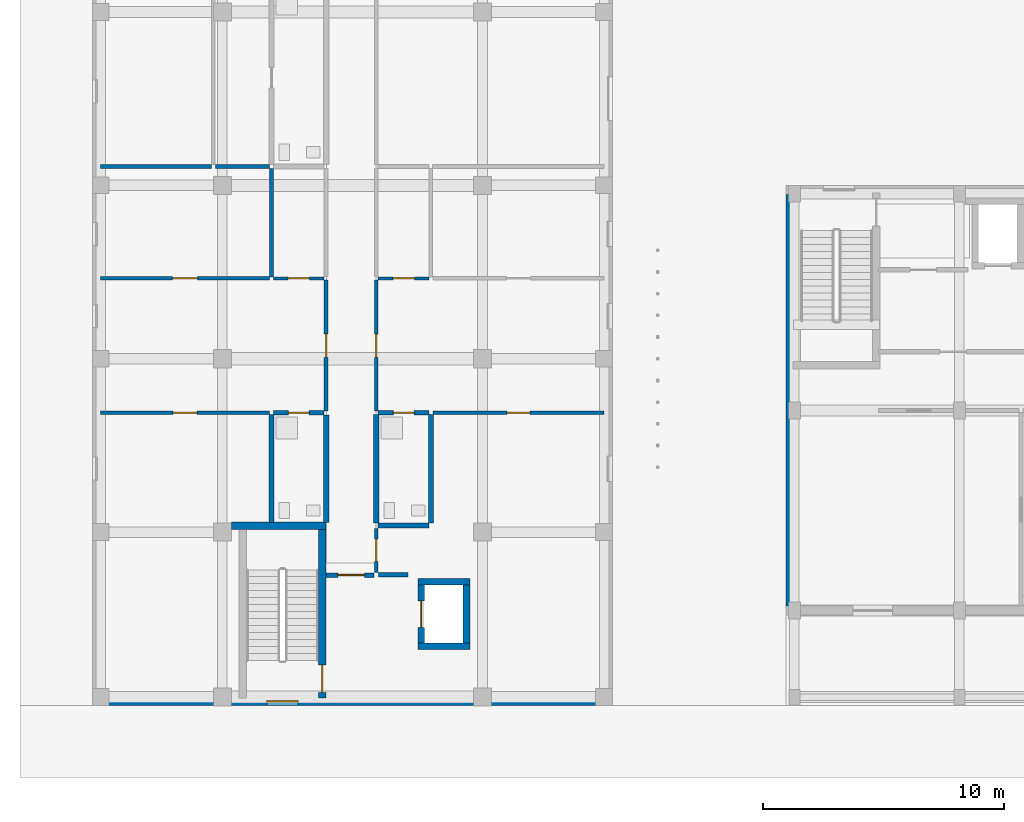
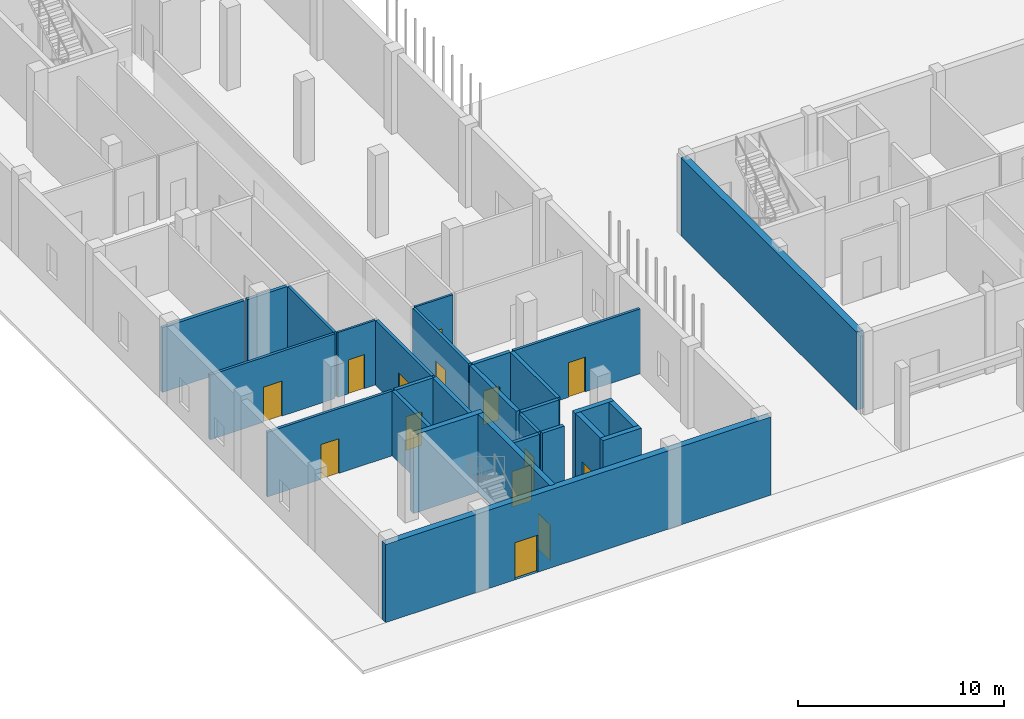
# One storey, part 36 of 85: 28 walls, 14 doors, 14 openings.
"""IFC4 building model written with IfcOpenShell, lengths in metres."""

from ifc_helpers import new_model, si_unit, derived_unit, direction, frame, frame_2d, origin, place, context, subcontext, project, spatial, rectangle, extrude, material, layer, layer_set, type_object, element, fill, save


model = new_model("IFC4")

# Units and contexts
model_context = context("Model", 3, precision=1e-05, world=origin(), true_north=direction((0.0, 1.0)))
body_context = subcontext(model_context, "Body", "Model", "MODEL_VIEW")
ifc_project = project(units=[si_unit("LENGTHUNIT", "METRE"), si_unit("AREAUNIT", "SQUARE_METRE"), si_unit("VOLUMEUNIT", "CUBIC_METRE"), si_unit("PLANEANGLEUNIT", "RADIAN"), si_unit("MASSUNIT", "GRAM", prefix="KILO"), derived_unit("THERMALTRANSMITTANCEUNIT", [(si_unit("MASSUNIT", "GRAM", prefix="KILO"), 1), (si_unit("TIMEUNIT", "SECOND"), -3), (si_unit("THERMODYNAMICTEMPERATUREUNIT", "KELVIN"), -1)])], contexts=[model_context])

# Site, building, storey
site_placement = place(None, origin())
site = spatial("IfcSite", under=ifc_project, at=site_placement, CompositionType="ELEMENT")
building_placement = place(site_placement, origin())
building = spatial("IfcBuilding", under=site, at=building_placement, Name="Ochrekiln Boulevard Commons", CompositionType="ELEMENT")
storey_placement = place(building_placement, origin())
storey = spatial("IfcBuildingStorey", under=building, at=storey_placement, Name="L00", CompositionType="ELEMENT", Elevation=0.0)

# Wall
ifc_material_1 = material(Name="Desert ochre clinker brick masonry ASTM C216 Grade SW", Category="masonry")
ifc_layer_1 = layer(ifc_material_1, 0.3798828125)
ifc_layer_set_1 = layer_set([ifc_layer_1], Name="Desert ochre clinker brick masonry ASTM C216 Grade SW")
wall_type_1 = type_object("IfcWallType", Name="WL-EXT-ARC-380", PredefinedType="SOLIDWALL", material=ifc_layer_set_1)
wall_1_placement = place(storey_placement, frame((28.989990234375, 4.139892578125, 0.0), z_axis=(0.0, 0.0, 1.0), x_axis=(0.0, 1.0, 0.0)))
element("IfcWall", 1, at=wall_1_placement, inside=storey, type_object=wall_type_1, Name="West Boulevard Arcade L00 W Exterior Wall", PredefinedType="SOLIDWALL", context=body_context, shape_type="SweptSolid", body=[
    extrude(rectangle(XDim=17.080078125, YDim=0.3798828125, at=frame_2d((8.5400390625, 0.0))), origin(), (0.0, 0.0, 1.0), 4.625),
])

# Wall, opening, door
ifc_material_2 = material(Name="Iron-spot brown clinker brick masonry ASTM C216 Grade SW", Category="masonry")
ifc_layer_2 = layer(ifc_material_2, 0.364990234375)
ifc_layer_set_2 = layer_set([ifc_layer_2], Name="Iron-spot brown clinker brick masonry ASTM C216 Grade SW")
wall_type_2 = type_object("IfcWallType", Name="WL-EXT-IRON-365", PredefinedType="SOLIDWALL", material=ifc_layer_set_2)
wall_2_placement = place(storey_placement, frame((0.0, 0.1826171875, 0.0), z_axis=(0.0, 0.0, 1.0), x_axis=(1.0, 0.0, 0.0)))
wall_2 = element("IfcWall", 2, at=wall_2_placement, inside=storey, type_object=wall_type_2, Name="Block D L00 S Exterior Wall", PredefinedType="SOLIDWALL", context=body_context, shape_type="SweptSolid", body=[
    extrude(rectangle(XDim=21.60009765625, YDim=0.364990234375, at=frame_2d((10.800048828125, 0.0))), origin(), (0.0, 0.0, 1.0), 4.639892578125),
])
opening_1_placement = place(wall_2_placement, frame((7.25, 0.0, 0.0)))
opening_1 = element("IfcOpeningElement", 3, at=opening_1_placement, cuts=wall_2, Name="Opening D-L00-EX36", PredefinedType="OPENING", context=body_context, shape_type="SweptSolid", body=[
    extrude(rectangle(XDim=1.300048828125, YDim=2.199951171875, at=frame_2d((0.64990234375, 1.10009765625))), frame((0.0, 0.1923828125, 0.0), z_axis=(0.0, -1.0, 0.0), x_axis=(1.0, 0.0, 0.0)), (0.0, 0.0, 1.0), 0.385009765625),
])
ifc_material_3 = material(Name="Bronze-anodized extruded aluminium 6063-T6", Category="aluminium")
door_type_1 = type_object("IfcDoorType", Name="DR-EXT-STAIR-130", OperationType="NOTDEFINED", PredefinedType="DOOR", material=ifc_material_3)
door_1_placement = place(opening_1_placement, frame((1.300048828125, 0.0, 0.0), z_axis=(0.0, 0.0, 1.0), x_axis=(-1.0, 0.0, 0.0)))
door_1 = element("IfcDoor", 4, at=door_1_placement, inside=storey, type_object=door_type_1, Name="Stair ST-D1 Exterior Exit Discharge Door", OperationType="SINGLE_SWING_RIGHT", OverallHeight=2.199951171875, OverallWidth=1.300048828125, PredefinedType="DOOR", context=body_context, shape_type="SweptSolid", body=[
    extrude(rectangle(XDim=1.300048828125, YDim=2.199951171875, at=frame_2d((0.64990234375, 1.10009765625))), frame((0.0, 0.02490234375, 0.0), z_axis=(0.0, -1.0, 0.0), x_axis=(1.0, 0.0, 0.0)), (0.0, 0.0, 1.0), 0.050048828125),
])
fill(opening_1, door_1)

# Wall
ifc_material_4 = material(Name="Moisture-resistant cementitious tile backer wall")
ifc_layer_3 = layer(ifc_material_4, 0.199951171875)
ifc_layer_set_3 = layer_set([ifc_layer_3], Name="Moisture-resistant cementitious tile backer wall")
wall_type_3 = type_object("IfcWallType", Name="WL-PLM-200", PredefinedType="PLUMBINGWALL", material=ifc_layer_set_3)
wall_3_placement = place(storey_placement, frame((11.8720703125, 7.47509765625, 0.0), z_axis=(0.0, 0.0, 1.0), x_axis=(1.0, 0.0, 0.0)))
element("IfcWall", 5, at=wall_3_placement, inside=storey, type_object=wall_type_3, Name="L00 Interior Wall W-PW200", PredefinedType="PLUMBINGWALL", context=body_context, shape_type="SweptSolid", body=[
    extrude(rectangle(XDim=2.10791015625, YDim=0.199951171875, at=frame_2d((1.053955078125, 0.0))), origin(), (0.0, 0.0, 1.0), 3.840087890625),
])

# Wall, opening, door
wall_4_placement = place(storey_placement, frame((7.52001953125, 12.155029296875, 0.0), z_axis=(0.0, 0.0, 1.0), x_axis=(1.0, 0.0, 0.0)))
wall_4 = element("IfcWall", 6, at=wall_4_placement, inside=storey, type_object=wall_type_3, Name="L00 Interior Wall W-PW200", PredefinedType="PLUMBINGWALL", context=body_context, shape_type="SweptSolid", body=[
    extrude(rectangle(XDim=2.10791015625, YDim=0.199951171875, at=frame_2d((1.053955078125, 0.0))), origin(), (0.0, 0.0, 1.0), 3.840087890625),
])
opening_2_placement = place(wall_4_placement, frame((0.6201171875, 0.0, 0.0)))
opening_2 = element("IfcOpeningElement", 7, at=opening_2_placement, cuts=wall_4, Name="Opening D-L00-087", PredefinedType="OPENING", context=body_context, shape_type="SweptSolid", body=[
    extrude(rectangle(XDim=0.860107421875, YDim=2.0, at=frame_2d((0.43017578125, 1.0))), frame((0.0, 0.10986328125, 0.0), z_axis=(0.0, -1.0, 0.0), x_axis=(1.0, 0.0, 0.0)), (0.0, 0.0, 1.0), 0.219970703125),
])
ifc_material_5 = material(Name="Solid core architectural oak door leaf")
door_type_2 = type_object("IfcDoorType", Name="DR-INT-BTH-086", OperationType="NOTDEFINED", PredefinedType="DOOR", material=ifc_material_5)
door_2_placement = place(opening_2_placement, frame((0.860107421875, 0.0, 0.0), z_axis=(0.0, 0.0, 1.0), x_axis=(-1.0, 0.0, 0.0)))
door_2 = element("IfcDoor", 8, at=door_2_placement, inside=storey, type_object=door_type_2, Name="L00 Interior Door to Accessible Apartment Bathroom", OperationType="SINGLE_SWING_LEFT", OverallHeight=2.0, OverallWidth=0.860107421875, PredefinedType="DOOR", context=body_context, shape_type="SweptSolid", body=[
    extrude(rectangle(XDim=0.860107421875, YDim=2.0, at=frame_2d((0.43017578125, 1.0))), frame((0.0, 0.02490234375, 0.0), z_axis=(0.0, -1.0, 0.0), x_axis=(1.0, 0.0, 0.0)), (0.0, 0.0, 1.0), 0.050048828125),
])
fill(opening_2, door_2)

# Wall
wall_5_placement = place(storey_placement, frame((7.43994140625, 7.60009765625, 0.0), z_axis=(0.0, 0.0, 1.0), x_axis=(0.0, 1.0, 0.0)))
element("IfcWall", 9, at=wall_5_placement, inside=storey, type_object=wall_type_3, Name="L00 Interior Wall W-PW200", PredefinedType="PLUMBINGWALL", context=body_context, shape_type="SweptSolid", body=[
    extrude(rectangle(XDim=4.47998046875, YDim=0.199951171875, at=frame_2d((2.239990234375, 0.0))), origin(), (0.0, 0.0, 1.0), 3.840087890625),
])

# Wall, opening, door
wall_6_placement = place(storey_placement, frame((11.8720703125, 12.155029296875, 0.0), z_axis=(0.0, 0.0, 1.0), x_axis=(1.0, 0.0, 0.0)))
wall_6 = element("IfcWall", 10, at=wall_6_placement, inside=storey, type_object=wall_type_3, Name="L00 Interior Wall W-PW200", PredefinedType="PLUMBINGWALL", context=body_context, shape_type="SweptSolid", body=[
    extrude(rectangle(XDim=2.10791015625, YDim=0.199951171875, at=frame_2d((1.053955078125, 0.0))), origin(), (0.0, 0.0, 1.0), 3.840087890625),
])
opening_3_placement = place(wall_6_placement, frame((0.6279296875, 0.0, 0.0)))
opening_3 = element("IfcOpeningElement", 11, at=opening_3_placement, cuts=wall_6, Name="Opening D-L00-098", PredefinedType="OPENING", context=body_context, shape_type="SweptSolid", body=[
    extrude(rectangle(XDim=0.860107421875, YDim=2.0, at=frame_2d((0.43017578125, 1.0))), frame((0.0, 0.10986328125, 0.0), z_axis=(0.0, -1.0, 0.0), x_axis=(1.0, 0.0, 0.0)), (0.0, 0.0, 1.0), 0.219970703125),
])
door_3_placement = place(opening_3_placement, frame((0.860107421875, 0.0, 0.0), z_axis=(0.0, 0.0, 1.0), x_axis=(-1.0, 0.0, 0.0)))
door_3 = element("IfcDoor", 12, at=door_3_placement, inside=storey, type_object=door_type_2, Name="L00 Interior Door to Apartment Bathroom", OperationType="SINGLE_SWING_RIGHT", OverallHeight=2.0, OverallWidth=0.860107421875, PredefinedType="DOOR", context=body_context, shape_type="SweptSolid", body=[
    extrude(rectangle(XDim=0.860107421875, YDim=2.0, at=frame_2d((0.43017578125, 1.0))), frame((0.0, 0.02490234375, 0.0), z_axis=(0.0, -1.0, 0.0), x_axis=(1.0, 0.0, 0.0)), (0.0, 0.0, 1.0), 0.050048828125),
])
fill(opening_3, door_3)

# Walls
wall_7_placement = place(storey_placement, frame((14.06005859375, 7.574951171875, 0.0), z_axis=(0.0, 0.0, 1.0), x_axis=(0.0, 1.0, 0.0)))
element("IfcWall", 13, at=wall_7_placement, inside=storey, type_object=wall_type_3, Name="L00 Interior Wall W-PW200", PredefinedType="PLUMBINGWALL", context=body_context, shape_type="SweptSolid", body=[
    extrude(rectangle(XDim=4.505126953125, YDim=0.199951171875, at=frame_2d((2.25244140625, 0.0))), origin(), (0.0, 0.0, 1.0), 3.840087890625),
])
ifc_layer_4 = layer(ifc_material_4, 0.219970703125)
ifc_layer_set_4 = layer_set([ifc_layer_4], Name="Moisture-resistant cementitious tile backer wall")
wall_type_4 = type_object("IfcWallType", Name="WL-PLM-220", PredefinedType="PLUMBINGWALL", material=ifc_layer_set_4)
wall_8_placement = place(storey_placement, frame((9.7099609375, 7.60009765625, 0.0), z_axis=(0.0, 0.0, 1.0), x_axis=(0.0, 1.0, 0.0)))
element("IfcWall", 14, at=wall_8_placement, inside=storey, type_object=wall_type_4, Name="L00 Interior Wall W-PW220", PredefinedType="PLUMBINGWALL", context=body_context, shape_type="SweptSolid", body=[
    extrude(rectangle(XDim=4.474853515625, YDim=0.219970703125, at=frame_2d((2.2373046875, 0.0))), origin(), (0.0, 0.0, 1.0), 3.840087890625),
])
wall_9_placement = place(storey_placement, frame((11.7900390625, 7.574951171875, 0.0), z_axis=(0.0, 0.0, 1.0), x_axis=(0.0, 1.0, 0.0)))
element("IfcWall", 15, at=wall_9_placement, inside=storey, type_object=wall_type_4, Name="L00 Interior Wall W-PW220", PredefinedType="PLUMBINGWALL", context=body_context, shape_type="SweptSolid", body=[
    extrude(rectangle(XDim=4.5, YDim=0.219970703125, at=frame_2d((2.25, 0.0))), origin(), (0.0, 0.0, 1.0), 3.840087890625),
])

# Wall, opening, door
ifc_material_6 = material(Name="Fire-rated Type X gypsum board on steel studs", Category="steel")
ifc_layer_5 = layer(ifc_material_6, 0.1650390625)
ifc_layer_set_5 = layer_set([ifc_layer_5], Name="Fire-rated Type X gypsum board on steel studs")
wall_type_5 = type_object("IfcWallType", Name="WL-PT-CORR-165", PredefinedType="PARTITIONING", material=ifc_layer_set_5)
wall_10_placement = place(storey_placement, frame((11.7900390625, 5.530029296875, 0.0), z_axis=(0.0, 0.0, 1.0), x_axis=(0.0, 1.0, 0.0)))
wall_10 = element("IfcWall", 16, at=wall_10_placement, inside=storey, type_object=wall_type_5, Name="L00 Interior Wall W-PC165", PredefinedType="PARTITIONING", context=body_context, shape_type="SweptSolid", body=[
    extrude(rectangle(XDim=1.820068359375, YDim=0.1650390625, at=frame_2d((0.91015625, 0.0))), origin(), (0.0, 0.0, 1.0), 3.840087890625),
])
opening_4_placement = place(wall_10_placement, frame((0.4599609375, 0.0, 0.0)))
opening_4 = element("IfcOpeningElement", 17, at=opening_4_placement, cuts=wall_10, Name="Opening D-L00-082", PredefinedType="OPENING", context=body_context, shape_type="SweptSolid", body=[
    extrude(rectangle(XDim=0.919921875, YDim=2.0400390625, at=frame_2d((0.4599609375, 1.02001953125))), frame((0.0, 0.092529296875, 0.0), z_axis=(0.0, -1.0, 0.0), x_axis=(1.0, 0.0, 0.0)), (0.0, 0.0, 1.0), 0.18505859375),
])
ifc_material_7 = material(Name="Hollow metal fire-rated steel door assembly", Category="steel")
door_type_3 = type_object("IfcDoorType", Name="DR-SRV-90", OperationType="NOTDEFINED", PredefinedType="DOOR", material=ifc_material_7)
door_4_placement = place(opening_4_placement, frame((0.919921875, 0.0, 0.0), z_axis=(0.0, 0.0, 1.0), x_axis=(-1.0, 0.0, 0.0)))
door_4 = element("IfcDoor", 18, at=door_4_placement, inside=storey, type_object=door_type_3, Name="L00 Interior Door to Hydronic and Electrical Riser Room", OperationType="SINGLE_SWING_RIGHT", OverallHeight=2.0400390625, OverallWidth=0.919921875, PredefinedType="DOOR", context=body_context, shape_type="SweptSolid", body=[
    extrude(rectangle(XDim=0.919921875, YDim=2.0400390625, at=frame_2d((0.4599609375, 1.02001953125))), frame((0.0, 0.02490234375, 0.0), z_axis=(0.0, -1.0, 0.0), x_axis=(1.0, 0.0, 0.0)), (0.0, 0.0, 1.0), 0.050048828125),
])
fill(opening_4, door_4)

wall_11_placement = place(storey_placement, frame((9.7099609375, 12.235107421875, 0.0), z_axis=(0.0, 0.0, 1.0), x_axis=(0.0, 1.0, 0.0)))
wall_11 = element("IfcWall", 19, at=wall_11_placement, inside=storey, type_object=wall_type_5, Name="L00 Interior Wall W-PC165", PredefinedType="PARTITIONING", context=body_context, shape_type="SweptSolid", body=[
    extrude(rectangle(XDim=5.423828125, YDim=0.1650390625, at=frame_2d((2.7119140625, 0.0))), origin(), (0.0, 0.0, 1.0), 3.840087890625),
])
opening_5_placement = place(wall_11_placement, frame((2.221923828125, 0.0, 0.0)))
opening_5 = element("IfcOpeningElement", 20, at=opening_5_placement, cuts=wall_11, Name="Opening D-L00-083", PredefinedType="OPENING", context=body_context, shape_type="SweptSolid", body=[
    extrude(rectangle(XDim=0.97998046875, YDim=2.080078125, at=frame_2d((0.489990234375, 1.0400390625))), frame((0.0, 0.092529296875, 0.0), z_axis=(0.0, -1.0, 0.0), x_axis=(1.0, 0.0, 0.0)), (0.0, 0.0, 1.0), 0.18505859375),
])
door_type_4 = type_object("IfcDoorType", Name="DR-APT-60", OperationType="NOTDEFINED", PredefinedType="DOOR", material=ifc_material_5)
door_5_placement = place(opening_5_placement, origin())
door_5 = element("IfcDoor", 21, at=door_5_placement, inside=storey, type_object=door_type_4, Name="L00 Interior Door to Two-Bedroom Apartment Living Room", OperationType="SINGLE_SWING_LEFT", OverallHeight=2.080078125, OverallWidth=0.97998046875, PredefinedType="DOOR", context=body_context, shape_type="SweptSolid", body=[
    extrude(rectangle(XDim=0.97998046875, YDim=2.080078125, at=frame_2d((0.489990234375, 1.0400390625))), frame((0.0, 0.02490234375, 0.0), z_axis=(0.0, -1.0, 0.0), x_axis=(1.0, 0.0, 0.0)), (0.0, 0.0, 1.0), 0.050048828125),
])
fill(opening_5, door_5)

wall_12_placement = place(storey_placement, frame((11.7900390625, 12.235107421875, 0.0), z_axis=(0.0, 0.0, 1.0), x_axis=(0.0, 1.0, 0.0)))
wall_12 = element("IfcWall", 22, at=wall_12_placement, inside=storey, type_object=wall_type_5, Name="L00 Interior Wall W-PC165", PredefinedType="PARTITIONING", context=body_context, shape_type="SweptSolid", body=[
    extrude(rectangle(XDim=5.423828125, YDim=0.1650390625, at=frame_2d((2.7119140625, 0.0))), origin(), (0.0, 0.0, 1.0), 3.840087890625),
])
opening_6_placement = place(wall_12_placement, frame((2.221923828125, 0.0, 0.0)))
opening_6 = element("IfcOpeningElement", 23, at=opening_6_placement, cuts=wall_12, Name="Opening D-L00-085", PredefinedType="OPENING", context=body_context, shape_type="SweptSolid", body=[
    extrude(rectangle(XDim=0.97998046875, YDim=2.080078125, at=frame_2d((0.489990234375, 1.0400390625))), frame((0.0, 0.092529296875, 0.0), z_axis=(0.0, -1.0, 0.0), x_axis=(1.0, 0.0, 0.0)), (0.0, 0.0, 1.0), 0.18505859375),
])
door_6_placement = place(opening_6_placement, frame((0.97998046875, 0.0, 0.0), z_axis=(0.0, 0.0, 1.0), x_axis=(-1.0, 0.0, 0.0)))
door_6 = element("IfcDoor", 24, at=door_6_placement, inside=storey, type_object=door_type_4, Name="L00 Interior Door to Two-Bedroom Apartment Living Room", OperationType="SINGLE_SWING_LEFT", OverallHeight=2.080078125, OverallWidth=0.97998046875, PredefinedType="DOOR", context=body_context, shape_type="SweptSolid", body=[
    extrude(rectangle(XDim=0.97998046875, YDim=2.080078125, at=frame_2d((0.489990234375, 1.0400390625))), frame((0.0, 0.02490234375, 0.0), z_axis=(0.0, -1.0, 0.0), x_axis=(1.0, 0.0, 0.0)), (0.0, 0.0, 1.0), 0.050048828125),
])
fill(opening_6, door_6)

# Walls
ifc_layer_6 = layer(ifc_material_6, 0.179931640625)
ifc_layer_set_6 = layer_set([ifc_layer_6], Name="Fire-rated Type X gypsum board on steel studs")
wall_type_6 = type_object("IfcWallType", Name="WL-PT-DEM-180", PredefinedType="PARTITIONING", material=ifc_layer_set_6)
wall_13_placement = place(storey_placement, frame((0.35009765625, 22.384033203125, 0.0), z_axis=(0.0, 0.0, 1.0), x_axis=(1.0, 0.0, 0.0)))
element("IfcWall", 25, at=wall_13_placement, inside=storey, type_object=wall_type_6, Name="L00 Interior Wall W-PD180", PredefinedType="PARTITIONING", context=body_context, shape_type="SweptSolid", body=[
    extrude(rectangle(XDim=4.599853515625, YDim=0.179931640625, at=frame_2d((2.2998046875, 0.0))), origin(), (0.0, 0.0, 1.0), 3.840087890625),
])
wall_14_placement = place(storey_placement, frame((5.110107421875, 22.384033203125, 0.0), z_axis=(0.0, 0.0, 1.0), x_axis=(1.0, 0.0, 0.0)))
element("IfcWall", 26, at=wall_14_placement, inside=storey, type_object=wall_type_6, Name="L00 Interior Wall W-PD180", PredefinedType="PARTITIONING", context=body_context, shape_type="SweptSolid", body=[
    extrude(rectangle(XDim=2.25, YDim=0.179931640625, at=frame_2d((1.125, 0.0))), origin(), (0.0, 0.0, 1.0), 3.840087890625),
])
ifc_layer_7 = layer(ifc_material_6, 0.18994140625)
ifc_layer_set_7 = layer_set([ifc_layer_7], Name="Fire-rated Type X gypsum board on steel studs")
wall_type_7 = type_object("IfcWallType", Name="WL-PT-LBY-190", PredefinedType="PARTITIONING", material=ifc_layer_set_7)
wall_15_placement = place(storey_placement, frame((11.8798828125, 5.43505859375, 0.0), z_axis=(0.0, 0.0, 1.0), x_axis=(1.0, 0.0, 0.0)))
element("IfcWall", 27, at=wall_15_placement, inside=storey, type_object=wall_type_7, Name="L00 Interior Wall W-PL190", PredefinedType="PARTITIONING", context=body_context, shape_type="SweptSolid", body=[
    extrude(rectangle(XDim=1.22021484375, YDim=0.18994140625, at=frame_2d((0.610107421875, 0.0))), origin(), (0.0, 0.0, 1.0), 3.840087890625),
])

# Wall, opening, door
wall_16_placement = place(storey_placement, frame((9.699951171875, 5.419921875, 0.0), z_axis=(0.0, 0.0, 1.0), x_axis=(1.0, 0.0, 0.0)))
wall_16 = element("IfcWall", 28, at=wall_16_placement, inside=storey, type_object=wall_type_7, Name="L00 Interior Wall W-PL190", PredefinedType="PARTITIONING", context=body_context, shape_type="SweptSolid", body=[
    extrude(rectangle(XDim=2.0, YDim=0.18994140625, at=frame_2d((1.0, 0.0))), origin(), (0.0, 0.0, 1.0), 3.840087890625),
])
opening_7_placement = place(wall_16_placement, frame((0.5, 0.0, 0.0)))
opening_7 = element("IfcOpeningElement", 29, at=opening_7_placement, cuts=wall_16, Name="Opening D-L00-080", PredefinedType="OPENING", context=body_context, shape_type="SweptSolid", body=[
    extrude(rectangle(XDim=1.10009765625, YDim=2.1201171875, at=frame_2d((0.550048828125, 1.06005859375))), frame((0.0, 0.10498046875, 0.0), z_axis=(0.0, -1.0, 0.0), x_axis=(1.0, 0.0, 0.0)), (0.0, 0.0, 1.0), 0.2099609375),
])
door_type_5 = type_object("IfcDoorType", Name="DR-LOBBY-60", OperationType="NOTDEFINED", PredefinedType="DOOR", material=ifc_material_7)
door_7_placement = place(opening_7_placement, frame((1.10009765625, 0.0, 0.0), z_axis=(0.0, 0.0, 1.0), x_axis=(-1.0, 0.0, 0.0)))
door_7 = element("IfcDoor", 30, at=door_7_placement, inside=storey, type_object=door_type_5, Name="L00 Interior Door to Passenger Elevator Lobby", OperationType="SINGLE_SWING_RIGHT", OverallHeight=2.1201171875, OverallWidth=1.10009765625, PredefinedType="DOOR", context=body_context, shape_type="SweptSolid", body=[
    extrude(rectangle(XDim=1.10009765625, YDim=2.1201171875, at=frame_2d((0.550048828125, 1.06005859375))), frame((0.0, 0.02490234375, 0.0), z_axis=(0.0, -1.0, 0.0), x_axis=(1.0, 0.0, 0.0)), (0.0, 0.0, 1.0), 0.050048828125),
])
fill(opening_7, door_7)

ifc_layer_8 = layer(ifc_material_6, 0.1201171875)
ifc_layer_set_8 = layer_set([ifc_layer_8], Name="Fire-rated Type X gypsum board on steel studs")
wall_type_8 = type_object("IfcWallType", Name="WL-PT-LGT-120", PredefinedType="PARTITIONING", material=ifc_layer_set_8)
wall_17_placement = place(storey_placement, frame((7.52001953125, 17.739013671875, 0.0), z_axis=(0.0, 0.0, 1.0), x_axis=(1.0, 0.0, 0.0)))
wall_17 = element("IfcWall", 31, at=wall_17_placement, inside=storey, type_object=wall_type_8, Name="L00 Interior Wall W-PL120", PredefinedType="PARTITIONING", context=body_context, shape_type="SweptSolid", body=[
    extrude(rectangle(XDim=2.10791015625, YDim=0.1201171875, at=frame_2d((1.053955078125, 0.0))), origin(), (0.0, 0.0, 1.0), 3.840087890625),
])
opening_8_placement = place(wall_17_placement, frame((0.610107421875, 0.0, 0.0)))
opening_8 = element("IfcOpeningElement", 32, at=opening_8_placement, cuts=wall_17, Name="Opening D-L00-088", PredefinedType="OPENING", context=body_context, shape_type="SweptSolid", body=[
    extrude(rectangle(XDim=0.8798828125, YDim=2.02001953125, at=frame_2d((0.43994140625, 1.010009765625))), frame((0.0, 0.070068359375, 0.0), z_axis=(0.0, -1.0, 0.0), x_axis=(1.0, 0.0, 0.0)), (0.0, 0.0, 1.0), 0.14013671875),
])
door_type_6 = type_object("IfcDoorType", Name="DR-INT-KIT-088", OperationType="NOTDEFINED", PredefinedType="DOOR", material=ifc_material_5)
door_8_placement = place(opening_8_placement, origin())
door_8 = element("IfcDoor", 33, at=door_8_placement, inside=storey, type_object=door_type_6, Name="L00 Interior Door to Apartment Kitchen", OperationType="SINGLE_SWING_RIGHT", OverallHeight=2.02001953125, OverallWidth=0.8798828125, PredefinedType="DOOR", context=body_context, shape_type="SweptSolid", body=[
    extrude(rectangle(XDim=0.8798828125, YDim=2.02001953125, at=frame_2d((0.43994140625, 1.010009765625))), frame((0.0, 0.02490234375, 0.0), z_axis=(0.0, -1.0, 0.0), x_axis=(1.0, 0.0, 0.0)), (0.0, 0.0, 1.0), 0.050048828125),
])
fill(opening_8, door_8)

wall_18_placement = place(storey_placement, frame((11.8720703125, 17.739013671875, 0.0), z_axis=(0.0, 0.0, 1.0), x_axis=(1.0, 0.0, 0.0)))
wall_18 = element("IfcWall", 34, at=wall_18_placement, inside=storey, type_object=wall_type_8, Name="L00 Interior Wall W-PL120", PredefinedType="PARTITIONING", context=body_context, shape_type="SweptSolid", body=[
    extrude(rectangle(XDim=2.10791015625, YDim=0.1201171875, at=frame_2d((1.053955078125, 0.0))), origin(), (0.0, 0.0, 1.0), 3.840087890625),
])
opening_9_placement = place(wall_18_placement, frame((0.617919921875, 0.0, 0.0)))
opening_9 = element("IfcOpeningElement", 35, at=opening_9_placement, cuts=wall_18, Name="Opening D-L00-099", PredefinedType="OPENING", context=body_context, shape_type="SweptSolid", body=[
    extrude(rectangle(XDim=0.8798828125, YDim=2.02001953125, at=frame_2d((0.43994140625, 1.010009765625))), frame((0.0, 0.070068359375, 0.0), z_axis=(0.0, -1.0, 0.0), x_axis=(1.0, 0.0, 0.0)), (0.0, 0.0, 1.0), 0.14013671875),
])
door_9_placement = place(opening_9_placement, origin())
door_9 = element("IfcDoor", 36, at=door_9_placement, inside=storey, type_object=door_type_6, Name="L00 Interior Door to Apartment Kitchen", OperationType="SINGLE_SWING_LEFT", OverallHeight=2.02001953125, OverallWidth=0.8798828125, PredefinedType="DOOR", context=body_context, shape_type="SweptSolid", body=[
    extrude(rectangle(XDim=0.8798828125, YDim=2.02001953125, at=frame_2d((0.43994140625, 1.010009765625))), frame((0.0, 0.02490234375, 0.0), z_axis=(0.0, -1.0, 0.0), x_axis=(1.0, 0.0, 0.0)), (0.0, 0.0, 1.0), 0.050048828125),
])
fill(opening_9, door_9)

ifc_layer_9 = layer(ifc_material_6, 0.14990234375)
ifc_layer_set_9 = layer_set([ifc_layer_9], Name="Fire-rated Type X gypsum board on steel studs")
wall_type_9 = type_object("IfcWallType", Name="WL-PT-STD-150", PredefinedType="PARTITIONING", material=ifc_layer_set_9)
wall_19_placement = place(storey_placement, frame((0.35009765625, 12.155029296875, 0.0), z_axis=(0.0, 0.0, 1.0), x_axis=(1.0, 0.0, 0.0)))
wall_19 = element("IfcWall", 37, at=wall_19_placement, inside=storey, type_object=wall_type_9, Name="L00 Interior Wall W-PS150", PredefinedType="PARTITIONING", context=body_context, shape_type="SweptSolid", body=[
    extrude(rectangle(XDim=7.010009765625, YDim=0.14990234375, at=frame_2d((3.5048828125, 0.0))), origin(), (0.0, 0.0, 1.0), 3.840087890625),
])
opening_10_placement = place(wall_19_placement, frame((3.0048828125, 0.0, 0.0)))
opening_10 = element("IfcOpeningElement", 38, at=opening_10_placement, cuts=wall_19, Name="Opening D-L00-089", PredefinedType="OPENING", context=body_context, shape_type="SweptSolid", body=[
    extrude(rectangle(XDim=1.0, YDim=2.06005859375, at=frame_2d((0.5, 1.030029296875))), frame((0.0, 0.0849609375, 0.0), z_axis=(0.0, -1.0, 0.0), x_axis=(1.0, 0.0, 0.0)), (0.0, 0.0, 1.0), 0.169921875),
])
door_type_7 = type_object("IfcDoorType", Name="DR-INT-BED-100", OperationType="NOTDEFINED", PredefinedType="DOOR", material=ifc_material_5)
door_10_placement = place(opening_10_placement, frame((1.0, 0.0, 0.0), z_axis=(0.0, 0.0, 1.0), x_axis=(-1.0, 0.0, 0.0)))
door_10 = element("IfcDoor", 39, at=door_10_placement, inside=storey, type_object=door_type_7, Name="L00 Interior Door to Primary Apartment Bedroom", OperationType="SINGLE_SWING_LEFT", OverallHeight=2.06005859375, OverallWidth=1.0, PredefinedType="DOOR", context=body_context, shape_type="SweptSolid", body=[
    extrude(rectangle(XDim=1.0, YDim=2.06005859375, at=frame_2d((0.5, 1.030029296875))), frame((0.0, 0.02490234375, 0.0), z_axis=(0.0, -1.0, 0.0), x_axis=(1.0, 0.0, 0.0)), (0.0, 0.0, 1.0), 0.050048828125),
])
fill(opening_10, door_10)

wall_20_placement = place(storey_placement, frame((0.35009765625, 17.739013671875, 0.0), z_axis=(0.0, 0.0, 1.0), x_axis=(1.0, 0.0, 0.0)))
wall_20 = element("IfcWall", 40, at=wall_20_placement, inside=storey, type_object=wall_type_9, Name="L00 Interior Wall W-PS150", PredefinedType="PARTITIONING", context=body_context, shape_type="SweptSolid", body=[
    extrude(rectangle(XDim=7.010009765625, YDim=0.14990234375, at=frame_2d((3.5048828125, 0.0))), origin(), (0.0, 0.0, 1.0), 3.840087890625),
])
opening_11_placement = place(wall_20_placement, frame((2.985107421875, 0.0, 0.0)))
opening_11 = element("IfcOpeningElement", 41, at=opening_11_placement, cuts=wall_20, Name="Opening D-L00-090", PredefinedType="OPENING", context=body_context, shape_type="SweptSolid", body=[
    extrude(rectangle(XDim=1.0400390625, YDim=2.080078125, at=frame_2d((0.52001953125, 1.0400390625))), frame((0.0, 0.0849609375, 0.0), z_axis=(0.0, -1.0, 0.0), x_axis=(1.0, 0.0, 0.0)), (0.0, 0.0, 1.0), 0.169921875),
])
door_type_8 = type_object("IfcDoorType", Name="DR-INT-BED-104", OperationType="NOTDEFINED", PredefinedType="DOOR", material=ifc_material_5)
door_11_placement = place(opening_11_placement, origin())
door_11 = element("IfcDoor", 42, at=door_11_placement, inside=storey, type_object=door_type_8, Name="L00 Interior Door to Secondary Apartment Bedroom", OperationType="SINGLE_SWING_RIGHT", OverallHeight=2.080078125, OverallWidth=1.0400390625, PredefinedType="DOOR", context=body_context, shape_type="SweptSolid", body=[
    extrude(rectangle(XDim=1.0400390625, YDim=2.080078125, at=frame_2d((0.52001953125, 1.0400390625))), frame((0.0, 0.02490234375, 0.0), z_axis=(0.0, -1.0, 0.0), x_axis=(1.0, 0.0, 0.0)), (0.0, 0.0, 1.0), 0.050048828125),
])
fill(opening_11, door_11)

# Wall
wall_21_placement = place(storey_placement, frame((7.43994140625, 17.799072265625, 0.0), z_axis=(0.0, 0.0, 1.0), x_axis=(0.0, 1.0, 0.0)))
element("IfcWall", 43, at=wall_21_placement, inside=storey, type_object=wall_type_9, Name="L00 Interior Wall W-PS150", PredefinedType="PARTITIONING", context=body_context, shape_type="SweptSolid", body=[
    extrude(rectangle(XDim=4.494873046875, YDim=0.14990234375, at=frame_2d((2.24755859375, 0.0))), origin(), (0.0, 0.0, 1.0), 3.840087890625),
])

# Wall, opening, door
wall_22_placement = place(storey_placement, frame((14.139892578125, 12.155029296875, 0.0), z_axis=(0.0, 0.0, 1.0), x_axis=(1.0, 0.0, 0.0)))
wall_22 = element("IfcWall", 44, at=wall_22_placement, inside=storey, type_object=wall_type_9, Name="L00 Interior Wall W-PS150", PredefinedType="PARTITIONING", context=body_context, shape_type="SweptSolid", body=[
    extrude(rectangle(XDim=7.110107421875, YDim=0.14990234375, at=frame_2d((3.55517578125, 0.0))), origin(), (0.0, 0.0, 1.0), 3.840087890625),
])
opening_12_placement = place(wall_22_placement, frame((3.0849609375, 0.0, 0.0)))
opening_12 = element("IfcOpeningElement", 45, at=opening_12_placement, cuts=wall_22, Name="Opening D-L00-100", PredefinedType="OPENING", context=body_context, shape_type="SweptSolid", body=[
    extrude(rectangle(XDim=0.93994140625, YDim=2.06005859375, at=frame_2d((0.469970703125, 1.030029296875))), frame((0.0, 0.0849609375, 0.0), z_axis=(0.0, -1.0, 0.0), x_axis=(1.0, 0.0, 0.0)), (0.0, 0.0, 1.0), 0.169921875),
])
door_type_9 = type_object("IfcDoorType", Name="DR-INT-BED-094", OperationType="NOTDEFINED", PredefinedType="DOOR", material=ifc_material_5)
door_12_placement = place(opening_12_placement, frame((0.93994140625, 0.0, 0.0), z_axis=(0.0, 0.0, 1.0), x_axis=(-1.0, 0.0, 0.0)))
door_12 = element("IfcDoor", 46, at=door_12_placement, inside=storey, type_object=door_type_9, Name="L00 Interior Door to Primary Apartment Bedroom", OperationType="SINGLE_SWING_RIGHT", OverallHeight=2.06005859375, OverallWidth=0.93994140625, PredefinedType="DOOR", context=body_context, shape_type="SweptSolid", body=[
    extrude(rectangle(XDim=0.93994140625, YDim=2.06005859375, at=frame_2d((0.469970703125, 1.030029296875))), frame((0.0, 0.02490234375, 0.0), z_axis=(0.0, -1.0, 0.0), x_axis=(1.0, 0.0, 0.0)), (0.0, 0.0, 1.0), 0.050048828125),
])
fill(opening_12, door_12)

# Walls
ifc_material_8 = material(Name="Concrete C40/50", Category="concrete")
ifc_layer_10 = layer(ifc_material_8, 0.27490234375)
ifc_layer_set_10 = layer_set([ifc_layer_10], Name="Concrete C40/50")
wall_type_10 = type_object("IfcWallType", Name="WL-SH-275", PredefinedType="SHEAR", material=ifc_layer_set_10)
for number, where, z_axis, x_axis, name in (
    (47, (13.52490234375, 2.46240234375, 0.0), (0.0, 0.0, 1.0), (1.0, 0.0, 0.0), "Elevator LP-D1 L00 Hoistway Shear Wall"),
    (48, (13.52490234375, 5.137451171875, 0.0), (0.0, 0.0, 1.0), (1.0, 0.0, 0.0), "Elevator LP-D1 L00 Hoistway Shear Wall"),
):
    element("IfcWall", number, at=place(storey_placement, frame(where, z_axis=z_axis, x_axis=x_axis)), inside=storey, type_object=wall_type_10, Name=name, PredefinedType="SHEAR", context=body_context, shape_type="SweptSolid", body=[
        extrude(rectangle(XDim=2.150146484375, YDim=0.27490234375, at=frame_2d((1.0751953125, 0.0))), origin(), (0.0, 0.0, 1.0), 4.639892578125),
    ])

# Wall, opening, door
wall_23_placement = place(storey_placement, frame((13.66259765625, 2.60009765625, 0.0), z_axis=(0.0, 0.0, 1.0), x_axis=(0.0, 1.0, 0.0)))
wall_23 = element("IfcWall", 49, at=wall_23_placement, inside=storey, type_object=wall_type_10, Name="Elevator LP-D1 L00 Hoistway Shear Wall", PredefinedType="SHEAR", context=body_context, shape_type="SweptSolid", body=[
    extrude(rectangle(XDim=2.39990234375, YDim=0.27490234375, at=frame_2d((1.199951171875, 0.0))), origin(), (0.0, 0.0, 1.0), 4.639892578125),
])
opening_13_placement = place(wall_23_placement, frame((0.64990234375, 0.0, 0.0)))
opening_13 = element("IfcOpeningElement", 50, at=opening_13_placement, cuts=wall_23, Name="Opening LD-LP-D1-L00", PredefinedType="OPENING", context=body_context, shape_type="SweptSolid", body=[
    extrude(rectangle(XDim=1.10009765625, YDim=2.14990234375, at=frame_2d((0.550048828125, 1.074951171875))), frame((0.0, 0.1474609375, 0.0), z_axis=(0.0, -1.0, 0.0), x_axis=(1.0, 0.0, 0.0)), (0.0, 0.0, 1.0), 0.294921875),
])
ifc_material_9 = material(Name="Brushed stainless steel 316 elevator cab and doors", Category="steel")
door_type_10 = type_object("IfcDoorType", Name="DR-LIFT-LD90", OperationType="SLIDING_TO_LEFT", PredefinedType="DOOR", material=ifc_material_9)
door_13_placement = place(opening_13_placement, origin())
door_13 = element("IfcDoor", 51, at=door_13_placement, inside=storey, type_object=door_type_10, Name="Elevator LP-D1 L00 Sliding Landing Door LD-LP-D1-L00", OperationType="SLIDING_TO_LEFT", OverallHeight=2.14990234375, OverallWidth=1.10009765625, PredefinedType="DOOR", context=body_context, shape_type="SweptSolid", body=[
    extrude(rectangle(XDim=1.10009765625, YDim=2.14990234375, at=frame_2d((0.550048828125, 1.074951171875))), frame((0.0, 0.02490234375, 0.0), z_axis=(0.0, -1.0, 0.0), x_axis=(1.0, 0.0, 0.0)), (0.0, 0.0, 1.0), 0.050048828125),
])
fill(opening_13, door_13)

# Walls
wall_24_placement = place(storey_placement, frame((15.53759765625, 2.60009765625, 0.0), z_axis=(0.0, 0.0, 1.0), x_axis=(0.0, 1.0, 0.0)))
element("IfcWall", 52, at=wall_24_placement, inside=storey, type_object=wall_type_10, Name="Elevator LP-D1 L00 Hoistway Shear Wall", PredefinedType="SHEAR", context=body_context, shape_type="SweptSolid", body=[
    extrude(rectangle(XDim=2.39990234375, YDim=0.27490234375, at=frame_2d((1.199951171875, 0.0))), origin(), (0.0, 0.0, 1.0), 4.639892578125),
])
ifc_layer_11 = layer(ifc_material_8, 0.300048828125)
ifc_layer_set_11 = layer_set([ifc_layer_11], Name="Concrete C40/50")
wall_type_11 = type_object("IfcWallType", Name="WL-SH-300", PredefinedType="SHEAR", material=ifc_layer_set_11)
wall_25_placement = place(storey_placement, frame((5.77490234375, 7.469970703125, 0.0), z_axis=(0.0, 0.0, 1.0), x_axis=(1.0, 0.0, 0.0)))
element("IfcWall", 53, at=wall_25_placement, inside=storey, type_object=wall_type_11, Name="Stair ST-D1 L00 Core Shear Wall N", PredefinedType="SHEAR", context=body_context, shape_type="SweptSolid", body=[
    extrude(rectangle(XDim=3.925048828125, YDim=0.300048828125, at=frame_2d((1.96240234375, 0.0))), origin(), (0.0, 0.0, 1.0), 4.639892578125),
])

# Wall, opening, door
wall_26_placement = place(storey_placement, frame((9.550048828125, 0.320068359375, 0.0), z_axis=(0.0, 0.0, 1.0), x_axis=(0.0, 1.0, 0.0)))
wall_26 = element("IfcWall", 54, at=wall_26_placement, inside=storey, type_object=wall_type_11, Name="Stair ST-D1 L00 Core Shear Wall E", PredefinedType="SHEAR", context=body_context, shape_type="SweptSolid", body=[
    extrude(rectangle(XDim=7.0, YDim=0.300048828125, at=frame_2d((3.5, 0.0))), origin(), (0.0, 0.0, 1.0), 4.639892578125),
])
opening_14_placement = place(wall_26_placement, frame((0.22509765625, 0.0, 0.0)))
opening_14 = element("IfcOpeningElement", 55, at=opening_14_placement, cuts=wall_26, Name="Opening D-L00-ST-D1", PredefinedType="OPENING", context=body_context, shape_type="SweptSolid", body=[
    extrude(rectangle(XDim=1.14990234375, YDim=2.1201171875, at=frame_2d((0.574951171875, 1.06005859375))), frame((0.0, 0.159912109375, 0.0), z_axis=(0.0, -1.0, 0.0), x_axis=(1.0, 0.0, 0.0)), (0.0, 0.0, 1.0), 0.320068359375),
])
door_type_11 = type_object("IfcDoorType", Name="DR-STAIR-90", OperationType="NOTDEFINED", PredefinedType="DOOR", material=ifc_material_7)
door_14_placement = place(opening_14_placement, origin())
door_14 = element("IfcDoor", 56, at=door_14_placement, inside=storey, type_object=door_type_11, Name="Enclosed Exit Stair ST-D1 L00 Rated Door", OperationType="SINGLE_SWING_RIGHT", OverallHeight=2.1201171875, OverallWidth=1.14990234375, PredefinedType="DOOR", context=body_context, shape_type="SweptSolid", body=[
    extrude(rectangle(XDim=1.14990234375, YDim=2.1201171875, at=frame_2d((0.574951171875, 1.06005859375))), frame((0.0, 0.02490234375, 0.0), z_axis=(0.0, -1.0, 0.0), x_axis=(1.0, 0.0, 0.0)), (0.0, 0.0, 1.0), 0.050048828125),
])
fill(opening_14, door_14)

save(model, "model.ifc")
